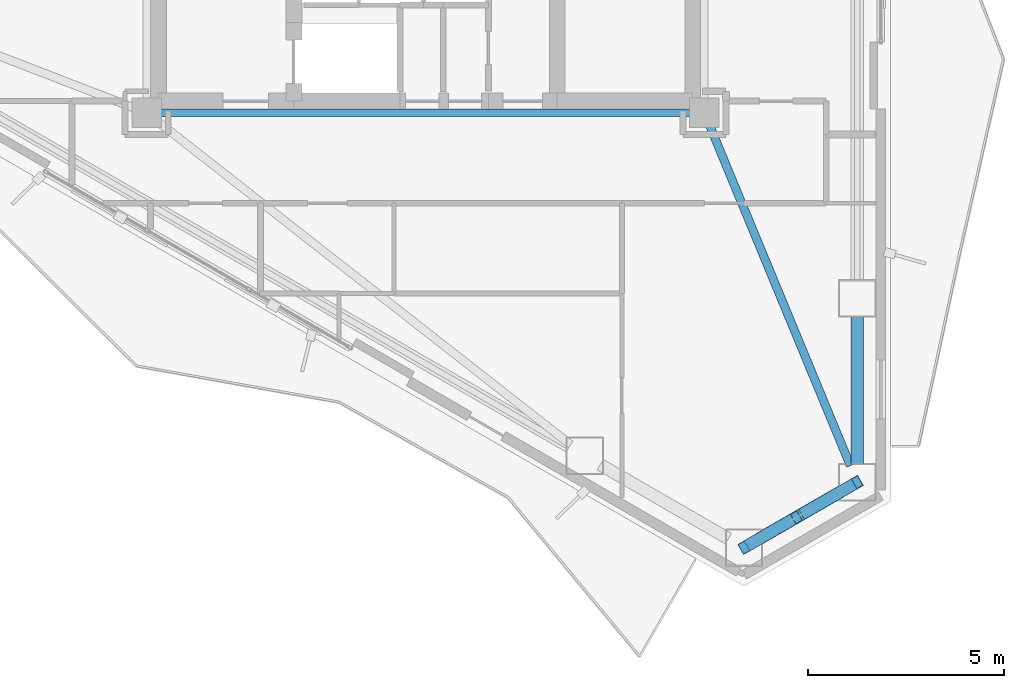
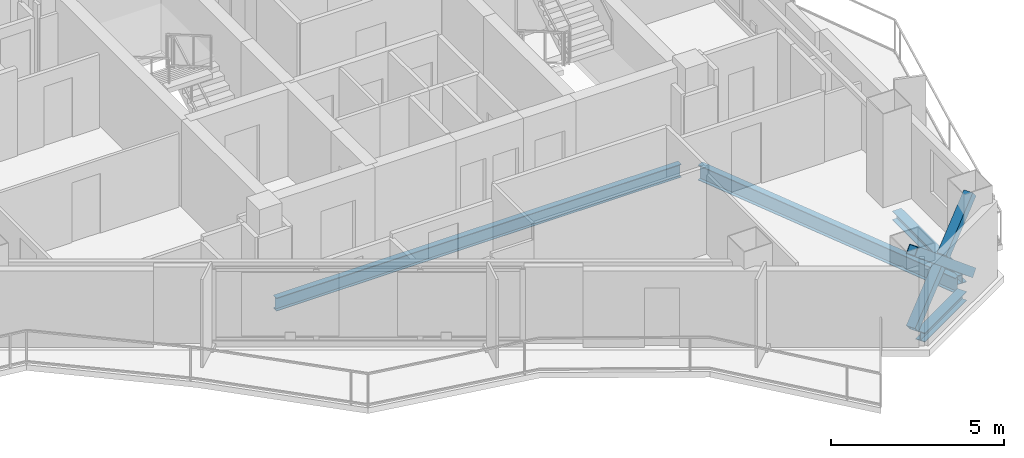
# One storey, part 5 of 22: 4 beams, 3 members.
"""IFC4 building model written with IfcOpenShell, lengths in metres."""

from ifc_helpers import new_model, si_unit, direction, frame, origin, origin_2d, place, context, subcontext, project, spatial, hollow_rectangle, i_section, extrude, material, material_profile, profile_set, type_object, element, save


model = new_model("IFC4")

# Units and contexts
model_context = context("Model", 3, precision=1e-05, world=origin(), true_north=direction((0.0, 1.0)))
body_context = subcontext(model_context, "Body", "Model", "MODEL_VIEW")
ifc_project = project(units=[si_unit("LENGTHUNIT", "METRE"), si_unit("AREAUNIT", "SQUARE_METRE"), si_unit("VOLUMEUNIT", "CUBIC_METRE"), si_unit("PLANEANGLEUNIT", "RADIAN"), si_unit("MASSUNIT", "GRAM", prefix="KILO")], contexts=[model_context])

# Site, building, storey
site_placement = place(None, origin())
site = spatial("IfcSite", under=ifc_project, at=site_placement, CompositionType="ELEMENT")
building_placement = place(site_placement, origin())
building = spatial("IfcBuilding", under=site, at=building_placement, Name="Mersakhor Tower and Convention Hall", CompositionType="ELEMENT")
storey_placement = place(building_placement, frame((0.0, 0.0, 192.0)))
storey = spatial("IfcBuildingStorey", under=building, at=storey_placement, Name="L53", CompositionType="ELEMENT", Elevation=192.0)

# Beams
ifc_material_1 = material(Name="Steel S355", Category="steel")
ifc_material_profile_1 = material_profile(ifc_material_1, i_section(OverallWidth=0.19140625, OverallDepth=0.4599609375, WebThickness=0.010009765625, FlangeThickness=0.01611328125, at=origin_2d()), Name="UB 457x191x82")
ifc_profile_set_1 = profile_set([ifc_material_profile_1], Name="Steel S355")
beam_type_1 = type_object("IfcBeamType", Name="BM-FB-457", PredefinedType="BEAM", material=ifc_profile_set_1)
beam_1_placement = place(storey_placement, frame((35.7451171875, 20.449951171875, -0.4599609375), z_axis=(-1.0, 0.0, 0.0), x_axis=(0.0, -1.0, 0.0)))
element("IfcBeam", 1, at=beam_1_placement, inside=storey, type_object=beam_type_1, Name="L53 Core Ring Tie Beam CRB-4", PredefinedType="BEAM", context=body_context, shape_type="SweptSolid", body=[
    extrude(i_section(OverallWidth=0.19140625, OverallDepth=0.4599609375, WebThickness=0.010009765625, FlangeThickness=0.01611328125, at=origin_2d()), origin(), (0.0, 0.0, 1.0), 13.490234375),
])
ifc_material_2 = material(Name="Steel S355", Category="steel")
ifc_material_profile_2 = material_profile(ifc_material_2, i_section(OverallWidth=0.2099609375, OverallDepth=0.53662109375, WebThickness=0.0107421875, FlangeThickness=0.017333984375, at=origin_2d()), Name="UB 533x210x101")
ifc_profile_set_2 = profile_set([ifc_material_profile_2], Name="Steel S355")
beam_type_2 = type_object("IfcBeamType", Name="BM-FB-533", PredefinedType="BEAM", material=ifc_profile_set_2)
beam_2_placement = place(storey_placement, frame((36.235595703125, 20.121826171875, -0.498291015625), z_axis=(0.382185218717, -0.924085742015, 0.0), x_axis=(0.924085742015, 0.382185218717, 0.0)))
element("IfcBeam", 2, at=beam_2_placement, inside=storey, type_object=beam_type_2, Name="L53 Primary Floor Girder FG-4", PredefinedType="BEAM", context=body_context, shape_type="SweptSolid", body=[
    extrude(i_section(OverallWidth=0.2099609375, OverallDepth=0.53662109375, WebThickness=0.0107421875, FlangeThickness=0.017333984375, at=origin_2d()), origin(), (0.0, 0.0, 1.0), 9.3642578125),
])
ifc_material_3 = material(Name="Steel S355", Category="steel")
ifc_material_profile_3 = material_profile(ifc_material_3, i_section(OverallWidth=0.30908203125, OverallDepth=0.320556640625, WebThickness=0.013916015625, FlangeThickness=0.021728515625, at=origin_2d()), Name="UC 305x305x137")
ifc_profile_set_3 = profile_set([ifc_material_profile_3], Name="Steel S355")
beam_type_3 = type_object("IfcBeamType", Name="BM-SPD-UC305", PredefinedType="SPANDREL", material=ifc_profile_set_3)
beam_3_placement = place(storey_placement, frame((39.98828125, 15.272216796875, -0.39013671875), z_axis=(0.0, -1.0, 0.0), x_axis=(1.0, 0.0, 0.0)))
element("IfcBeam", 3, at=beam_3_placement, inside=storey, type_object=beam_type_3, Name="L53 Perimeter Spandrel Beam SPB-07", PredefinedType="SPANDREL", context=body_context, shape_type="SweptSolid", body=[
    extrude(i_section(OverallWidth=0.30908203125, OverallDepth=0.320556640625, WebThickness=0.013916015625, FlangeThickness=0.021728515625, at=origin_2d()), origin(), (0.0, 0.0, 1.0), 3.769287109375),
])
beam_4_placement = place(storey_placement, frame((39.594482421875, 10.820556640625, -0.39013671875), z_axis=(-0.86605626798, -0.499946537834, 0.0), x_axis=(0.499946537834, -0.86605626798, 0.0)))
element("IfcBeam", 4, at=beam_4_placement, inside=storey, type_object=beam_type_3, Name="L53 Perimeter Spandrel Beam SPB-08", PredefinedType="SPANDREL", context=body_context, shape_type="SweptSolid", body=[
    extrude(i_section(OverallWidth=0.30908203125, OverallDepth=0.320556640625, WebThickness=0.013916015625, FlangeThickness=0.021728515625, at=origin_2d()), origin(), (0.0, 0.0, 1.0), 2.420654296875),
])

# Members
ifc_material_4 = material(Name="Steel S355", Category="steel")
ifc_material_profile_4 = material_profile(ifc_material_4, hollow_rectangle(XDim=0.300048828125, YDim=0.300048828125, WallThickness=0.01611328125, at=origin_2d()), Name="SHS 300x300x16")
ifc_profile_set_4 = profile_set([ifc_material_profile_4], Name="Steel S355")
member_type = type_object("IfcMemberType", Name="MB-BRC-SHS300", PredefinedType="BRACE", material=ifc_profile_set_4)
member_1_placement = place(storey_placement, frame((39.98828125, 11.048095703125, 0.14990234375), z_axis=(-0.665824923443, -0.384424564314, 0.639448923429), x_axis=(0.50001011158, -0.866019565782, 0.0)))
element("IfcMember", 5, at=member_1_placement, inside=storey, type_object=member_type, Name="L53 Chamfer Braced Frame Diagonal CB-2A", PredefinedType="BRACE", context=body_context, shape_type="SweptSolid", body=[
    extrude(hollow_rectangle(XDim=0.300048828125, YDim=0.300048828125, WallThickness=0.01611328125, at=origin_2d()), origin(), (0.0, 0.0, 1.0), 4.331787109375),
])
member_2_placement = place(storey_placement, frame((37.10400390625, 9.3828125, 0.14990234375), z_axis=(0.665779245823, 0.384445210881, 0.639484069905), x_axis=(-0.50005597947, 0.86599308161, 0.0)))
element("IfcMember", 6, at=member_2_placement, inside=storey, type_object=member_type, Name="L53 Chamfer Braced Frame Diagonal CB-2B Lower Half", PredefinedType="BRACE", context=body_context, shape_type="SweptSolid", body=[
    extrude(hollow_rectangle(XDim=0.300048828125, YDim=0.300048828125, WallThickness=0.01611328125, at=origin_2d()), origin(), (0.0, 0.0, 1.0), 2.00537109375),
])
member_3_placement = place(storey_placement, frame((38.6533203125, 10.277099609375, 1.6376953125), z_axis=(0.665763296387, 0.384506307606, 0.639463941592), x_axis=(-0.500124558158, 0.865953478154, 0.0)))
element("IfcMember", 7, at=member_3_placement, inside=storey, type_object=member_type, Name="L53 Chamfer Braced Frame Diagonal CB-2B Upper Half", PredefinedType="BRACE", context=body_context, shape_type="SweptSolid", body=[
    extrude(hollow_rectangle(XDim=0.300048828125, YDim=0.300048828125, WallThickness=0.01611328125, at=origin_2d()), origin(), (0.0, 0.0, 1.0), 2.005126953125),
])

save(model, "model.ifc")
